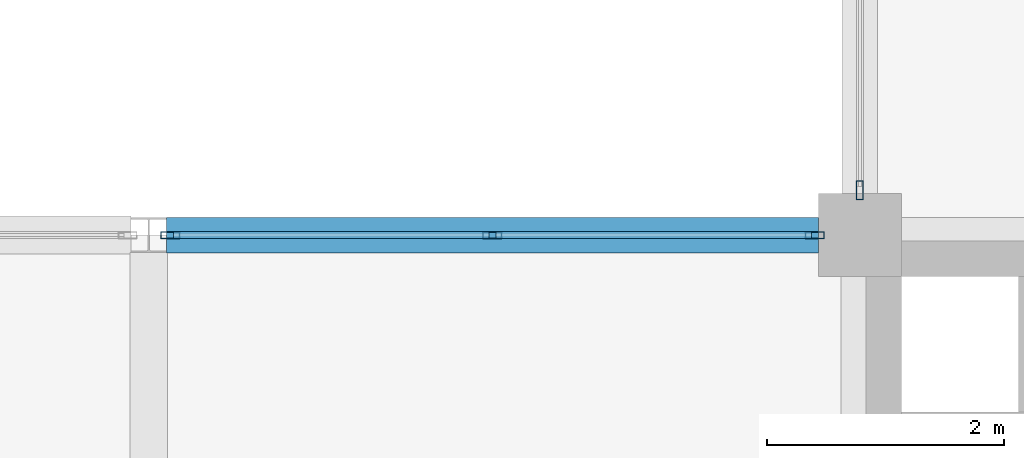
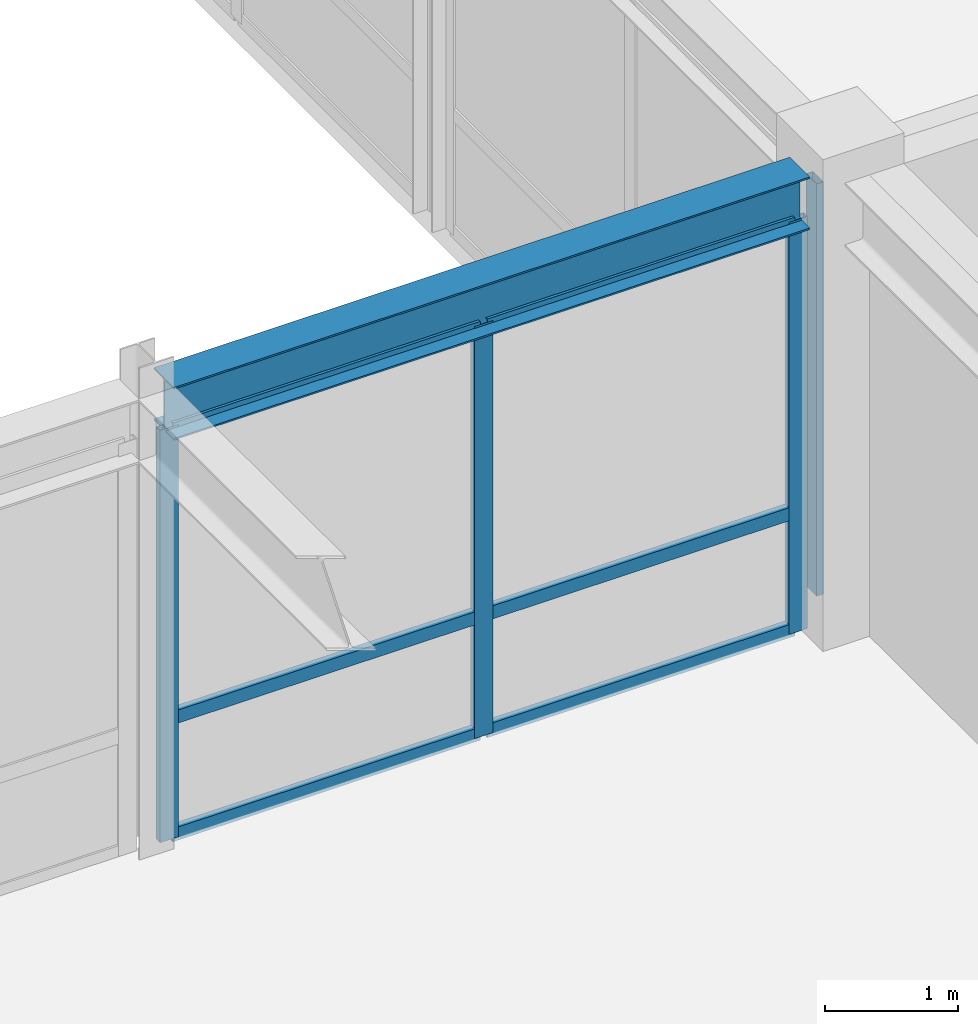
# One storey, part 82 of 108: 10 members, 1 beam, 2 elements without a shape of their own.
"""IFC4 building model written with IfcOpenShell, lengths in metres."""

from ifc_helpers import new_model, si_unit, direction, frame, origin, origin_2d, place, context, subcontext, project, spatial, hollow_rectangle, i_section, extrude, material, layer, layer_set, material_profile, profile_set, type_object, element, aggregate, save


model = new_model("IFC4")

# Units and contexts
model_context = context("Model", 3, precision=1e-05, world=origin(), true_north=direction((0.0, 1.0)))
body_context = subcontext(model_context, "Body", "Model", "MODEL_VIEW")
ifc_project = project(units=[si_unit("LENGTHUNIT", "METRE"), si_unit("AREAUNIT", "SQUARE_METRE"), si_unit("VOLUMEUNIT", "CUBIC_METRE"), si_unit("PLANEANGLEUNIT", "RADIAN"), si_unit("MASSUNIT", "GRAM", prefix="KILO")], contexts=[model_context])

# Site, building, storey
site_placement = place(None, origin())
site = spatial("IfcSite", under=ifc_project, at=site_placement, CompositionType="ELEMENT")
building_placement = place(site_placement, origin())
building = spatial("IfcBuilding", under=site, at=building_placement, Name="Zlatovratsky Civic Hall", CompositionType="ELEMENT")
storey_placement = place(building_placement, frame((0.0, 0.0, 12.0)))
storey = spatial("IfcBuildingStorey", under=building, at=storey_placement, Name="L03", CompositionType="ELEMENT", Elevation=12.0)

# Beam
ifc_material_1 = material(Name="Steel S355", Category="steel")
ifc_material_profile_1 = material_profile(ifc_material_1, i_section(OverallWidth=0.300048828125, OverallDepth=0.48193359375, WebThickness=0.010986328125, FlangeThickness=0.014892578125, FilletRadius=0.02392578125, at=origin_2d()), Name="50Sh1")
ifc_profile_set_1 = profile_set([ifc_material_profile_1], Name="Steel S355")
beam_type = type_object("IfcBeamType", Name="Beam_LibraryGirder_50Sh1", PredefinedType="BEAM", material=ifc_profile_set_1)
beam_placement = place(storey_placement, frame((144.1494140625, 30.0, 3.97900390625), z_axis=(1.0, 0.0, 0.0), x_axis=(0.0, 1.0, 0.0)))
element("IfcBeam", 1, at=beam_placement, inside=storey, type_object=beam_type, Name="BM-2540", PredefinedType="BEAM", context=body_context, shape_type="SweptSolid", body=[
    extrude(i_section(OverallWidth=0.300048828125, OverallDepth=0.48193359375, WebThickness=0.010986328125, FlangeThickness=0.014892578125, FilletRadius=0.02392578125, at=origin_2d()), origin(), (0.0, 0.0, 1.0), 5.50048828125),
])

# Curtain wall, members
ifc_material_2 = material(Name="Anodised bronze aluminium", Category="aluminium")
ifc_layer = layer(ifc_material_2, 0.159912109375)
ifc_layer_set = layer_set([ifc_layer], Name="Anodised bronze aluminium")
curtain_wall_type = type_object("IfcCurtainWallType", Name="CurtainWall_Bronze_5500x3770_10", PredefinedType="NOTDEFINED", material=ifc_layer_set)
curtain_wall_1_placement = place(storey_placement, origin())
curtain_wall_1 = element("IfcCurtainWall", 2, at=curtain_wall_1_placement, inside=storey, type_object=curtain_wall_type, Name="CW-071", PredefinedType="NOTDEFINED")
ifc_material_profile_2 = material_profile(ifc_material_2, hollow_rectangle(XDim=0.06005859375, YDim=0.159912109375, WallThickness=0.00390625, at=origin_2d()), Name="ALU 60x160x4")
ifc_profile_set_2 = profile_set([ifc_material_profile_2], Name="Anodised bronze aluminium")
member_type_1 = type_object("IfcMemberType", Name="CW_Mullion_60x160", PredefinedType="MULLION", material=ifc_profile_set_2)
member_1_placement = place(storey_placement, frame((144.179443359375, 30.0, 0.0), z_axis=(0.0, 0.0, 1.0), x_axis=(0.0, 1.0, 0.0)))
member_1 = element("IfcMember", 3, at=member_1_placement, type_object=member_type_1, Name="CW-10 mullion 1", PredefinedType="MULLION", context=body_context, shape_type="SweptSolid", body=[
    extrude(hollow_rectangle(XDim=0.06005859375, YDim=0.159912109375, WallThickness=0.00390625, at=origin_2d()), origin(), (0.0, 0.0, 1.0), 3.77001953125),
])
member_2_placement = place(storey_placement, frame((146.899658203125, 30.0, 0.0), z_axis=(0.0, 0.0, 1.0), x_axis=(0.0, 1.0, 0.0)))
member_2 = element("IfcMember", 4, at=member_2_placement, type_object=member_type_1, Name="CW-10 mullion 2", PredefinedType="MULLION", context=body_context, shape_type="SweptSolid", body=[
    extrude(hollow_rectangle(XDim=0.06005859375, YDim=0.159912109375, WallThickness=0.00390625, at=origin_2d()), origin(), (0.0, 0.0, 1.0), 3.77001953125),
])
member_3_placement = place(storey_placement, frame((149.6201171875, 30.0, 0.0), z_axis=(0.0, 0.0, 1.0), x_axis=(0.0, 1.0, 0.0)))
member_3 = element("IfcMember", 5, at=member_3_placement, type_object=member_type_1, Name="CW-10 mullion 3", PredefinedType="MULLION", context=body_context, shape_type="SweptSolid", body=[
    extrude(hollow_rectangle(XDim=0.06005859375, YDim=0.159912109375, WallThickness=0.00390625, at=origin_2d()), origin(), (0.0, 0.0, 1.0), 3.77001953125),
])

# Curtain wall, member
curtain_wall_2_placement = place(storey_placement, origin())
curtain_wall_2 = element("IfcCurtainWall", 6, at=curtain_wall_2_placement, inside=storey, type_object=curtain_wall_type, Name="CW-081", PredefinedType="NOTDEFINED")
member_4_placement = place(storey_placement, frame((150.0, 30.3798828125, 0.0), z_axis=(0.0, 0.0, 1.0), x_axis=(-1.0, 0.0, 0.0)))
member_4 = element("IfcMember", 7, at=member_4_placement, type_object=member_type_1, Name="CW-10 mullion 1", PredefinedType="MULLION", context=body_context, shape_type="SweptSolid", body=[
    extrude(hollow_rectangle(XDim=0.06005859375, YDim=0.159912109375, WallThickness=0.00390625, at=origin_2d()), origin(), (0.0, 0.0, 1.0), 3.77001953125),
])
aggregate(curtain_wall_2, [member_4])

# Member
ifc_material_profile_3 = material_profile(ifc_material_2, hollow_rectangle(XDim=0.06005859375, YDim=0.1201171875, WallThickness=0.00390625, at=origin_2d()), Name="ALU 60x120x4")
ifc_profile_set_3 = profile_set([ifc_material_profile_3], Name="Anodised bronze aluminium")
member_type_2 = type_object("IfcMemberType", Name="CW_Transom_60x120", PredefinedType="USERDEFINED", material=ifc_profile_set_3)
member_5_placement = place(storey_placement, frame((144.20947265625, 30.0, 0.030029296875), z_axis=(1.0, 0.0, 0.0), x_axis=(0.0, 1.0, 0.0)))
member_5 = element("IfcMember", 8, at=member_5_placement, type_object=member_type_2, Name="CW-10 transom 1.1", ObjectType="TRANSOM", PredefinedType="USERDEFINED", context=body_context, shape_type="SweptSolid", body=[
    extrude(hollow_rectangle(XDim=0.06005859375, YDim=0.1201171875, WallThickness=0.00390625, at=origin_2d()), origin(), (0.0, 0.0, 1.0), 2.66015625),
])

member_6_placement = place(storey_placement, frame((144.20947265625, 30.0, 1.10009765625), z_axis=(1.0, 0.0, 0.0), x_axis=(0.0, 1.0, 0.0)))
member_6 = element("IfcMember", 9, at=member_6_placement, type_object=member_type_2, Name="CW-10 transom 1.2", ObjectType="TRANSOM", PredefinedType="USERDEFINED", context=body_context, shape_type="SweptSolid", body=[
    extrude(hollow_rectangle(XDim=0.06005859375, YDim=0.1201171875, WallThickness=0.00390625, at=origin_2d()), origin(), (0.0, 0.0, 1.0), 2.66015625),
])

member_7_placement = place(storey_placement, frame((144.20947265625, 30.0, 3.739990234375), z_axis=(1.0, 0.0, 0.0), x_axis=(0.0, 1.0, 0.0)))
member_7 = element("IfcMember", 10, at=member_7_placement, type_object=member_type_2, Name="CW-10 transom 1.3", ObjectType="TRANSOM", PredefinedType="USERDEFINED", context=body_context, shape_type="SweptSolid", body=[
    extrude(hollow_rectangle(XDim=0.06005859375, YDim=0.1201171875, WallThickness=0.00390625, at=origin_2d()), origin(), (0.0, 0.0, 1.0), 2.66015625),
])

member_8_placement = place(storey_placement, frame((146.9296875, 30.0, 0.030029296875), z_axis=(1.0, 0.0, 0.0), x_axis=(0.0, 1.0, 0.0)))
member_8 = element("IfcMember", 11, at=member_8_placement, type_object=member_type_2, Name="CW-10 transom 2.1", ObjectType="TRANSOM", PredefinedType="USERDEFINED", context=body_context, shape_type="SweptSolid", body=[
    extrude(hollow_rectangle(XDim=0.06005859375, YDim=0.1201171875, WallThickness=0.00390625, at=origin_2d()), origin(), (0.0, 0.0, 1.0), 2.660400390625),
])

member_9_placement = place(storey_placement, frame((146.9296875, 30.0, 1.10009765625), z_axis=(1.0, 0.0, 0.0), x_axis=(0.0, 1.0, 0.0)))
member_9 = element("IfcMember", 12, at=member_9_placement, type_object=member_type_2, Name="CW-10 transom 2.2", ObjectType="TRANSOM", PredefinedType="USERDEFINED", context=body_context, shape_type="SweptSolid", body=[
    extrude(hollow_rectangle(XDim=0.06005859375, YDim=0.1201171875, WallThickness=0.00390625, at=origin_2d()), origin(), (0.0, 0.0, 1.0), 2.660400390625),
])

member_10_placement = place(storey_placement, frame((146.9296875, 30.0, 3.739990234375), z_axis=(1.0, 0.0, 0.0), x_axis=(0.0, 1.0, 0.0)))
member_10 = element("IfcMember", 13, at=member_10_placement, type_object=member_type_2, Name="CW-10 transom 2.3", ObjectType="TRANSOM", PredefinedType="USERDEFINED", context=body_context, shape_type="SweptSolid", body=[
    extrude(hollow_rectangle(XDim=0.06005859375, YDim=0.1201171875, WallThickness=0.00390625, at=origin_2d()), origin(), (0.0, 0.0, 1.0), 2.660400390625),
])

aggregate(curtain_wall_1, [member_1, member_2, member_3, member_5, member_6, member_7, member_8, member_9, member_10])

save(model, "model.ifc")
